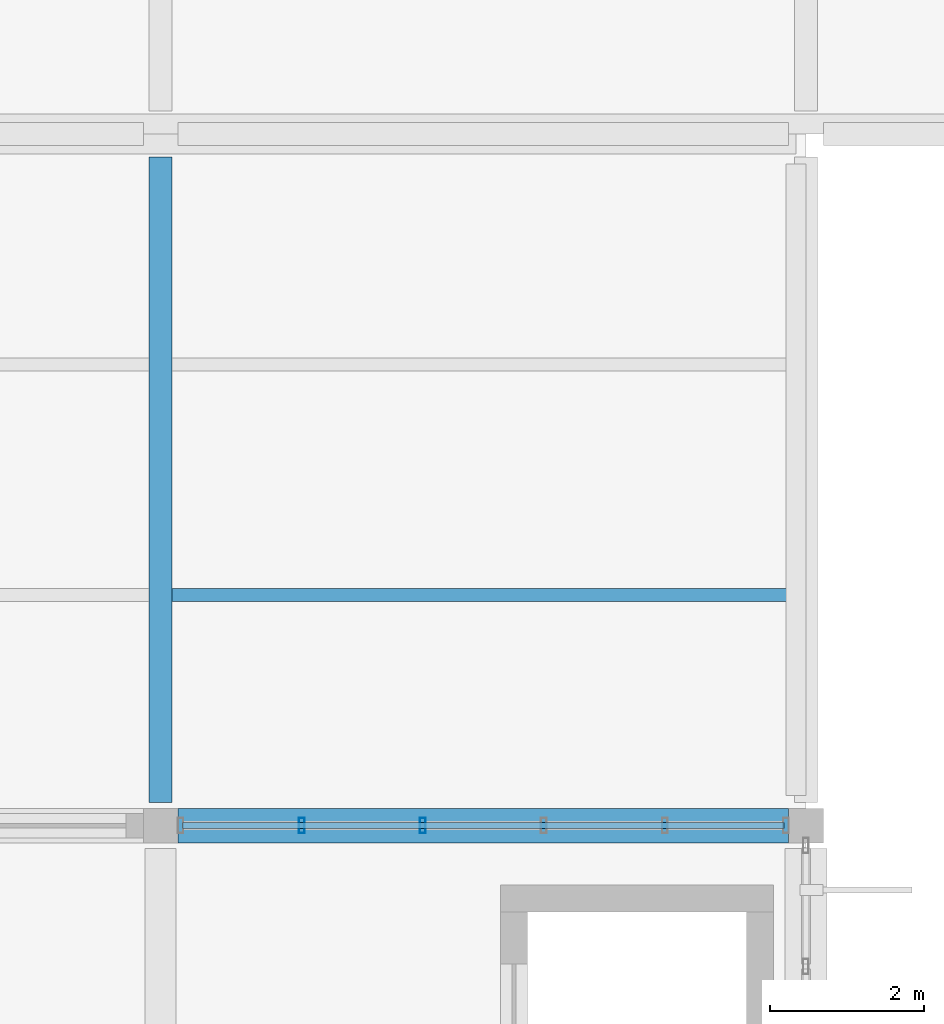
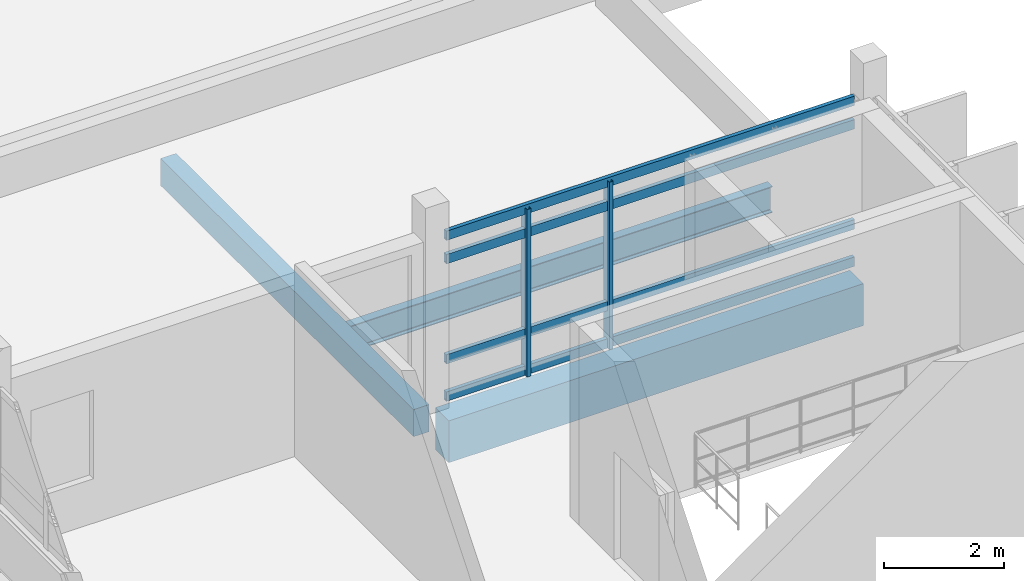
# One storey, part 29 of 62: 6 members, 3 beams, 1 element without a shape of its own.
"""IFC4 building model written with IfcOpenShell, lengths in metres."""

from ifc_helpers import new_model, si_unit, direction, frame, origin, origin_2d, place, context, subcontext, project, spatial, rectangle, hollow_rectangle, i_section, extrude, material, layer, layer_set, material_profile, profile_set, type_object, element, aggregate, save


model = new_model("IFC4")

# Units and contexts
model_context = context("Model", 3, precision=1e-05, world=origin(), true_north=direction((0.0, 1.0)))
body_context = subcontext(model_context, "Body", "Model", "MODEL_VIEW")
ifc_project = project(units=[si_unit("LENGTHUNIT", "METRE"), si_unit("AREAUNIT", "SQUARE_METRE"), si_unit("VOLUMEUNIT", "CUBIC_METRE"), si_unit("PLANEANGLEUNIT", "RADIAN"), si_unit("MASSUNIT", "GRAM", prefix="KILO")], contexts=[model_context])

# Site, building, storey
site_placement = place(None, origin())
site = spatial("IfcSite", under=ifc_project, at=site_placement, CompositionType="ELEMENT")
building_placement = place(site_placement, origin())
building = spatial("IfcBuilding", under=site, at=building_placement, Name="Vireocrest Preparatory School", CompositionType="ELEMENT")
storey_placement = place(building_placement, frame((0.0, 0.0, 17.39990234375)))
storey = spatial("IfcBuildingStorey", under=building, at=storey_placement, Name="L04", CompositionType="ELEMENT", Elevation=17.39990234375)

# Curtain wall, members
ifc_material_1 = material(Name="Thermally broken aluminium EN AW-6063-T6", Category="aluminium")
ifc_layer = layer(ifc_material_1, 0.179931640625)
ifc_layer_set = layer_set([ifc_layer], Name="Thermally broken aluminium EN AW-6063-T6")
curtain_wall_type = type_object("IfcCurtainWallType", Name="Stair Core Daylit Strip 4200x4200", PredefinedType="USERDEFINED", material=ifc_layer_set)
curtain_wall_placement = place(storey_placement, origin())
curtain_wall = element("IfcCurtainWall", 1, at=curtain_wall_placement, inside=storey, type_object=curtain_wall_type, Name="Curtain Wall CW18 CW_L04_CW18_1010_0858_174", ObjectType="CURTAIN WALL", PredefinedType="USERDEFINED")
ifc_material_profile_1 = material_profile(ifc_material_1, hollow_rectangle(XDim=0.074951171875, YDim=0.199951171875, WallThickness=0.0048828125, at=origin_2d()), Name="ALU 75x200x5")
ifc_profile_set_1 = profile_set([ifc_material_profile_1], Name="Thermally broken aluminium EN AW-6063-T6")
member_type_1 = type_object("IfcMemberType", Name="CW Mullion 75x200x5", PredefinedType="MULLION", material=ifc_profile_set_1)
member_1_placement = place(storey_placement, frame((102.635986328125, 85.800048828125, 0.0), z_axis=(0.0, 0.0, 1.0), x_axis=(1.0, 0.0, 0.0)))
member_1 = element("IfcMember", 2, at=member_1_placement, type_object=member_type_1, Name="CW Mullion ML3 CW_L04_CW18_1010_0858_174-2", PredefinedType="MULLION", context=body_context, shape_type="SweptSolid", body=[
    extrude(hollow_rectangle(XDim=0.074951171875, YDim=0.199951171875, WallThickness=0.0048828125, at=origin_2d()), origin(), (0.0, 0.0, 1.0), 3.39501953125),
])
member_2_placement = place(storey_placement, frame((104.2119140625, 85.800048828125, 0.0), z_axis=(0.0, 0.0, 1.0), x_axis=(1.0, 0.0, 0.0)))
member_2 = element("IfcMember", 3, at=member_2_placement, type_object=member_type_1, Name="CW Mullion ML3 CW_L04_CW18_1010_0858_174-3", PredefinedType="MULLION", context=body_context, shape_type="SweptSolid", body=[
    extrude(hollow_rectangle(XDim=0.074951171875, YDim=0.199951171875, WallThickness=0.0048828125, at=origin_2d()), origin(), (0.0, 0.0, 1.0), 3.39501953125),
])
ifc_material_profile_2 = material_profile(ifc_material_1, hollow_rectangle(XDim=0.074951171875, YDim=0.18994140625, WallThickness=0.00390625, at=origin_2d()), Name="ALU 75x190x4")
ifc_profile_set_2 = profile_set([ifc_material_profile_2], Name="Thermally broken aluminium EN AW-6063-T6")
member_type_2 = type_object("IfcMemberType", Name="CW Transom 75x190x4", PredefinedType="USERDEFINED", material=ifc_profile_set_2)
member_3_placement = place(storey_placement, frame((101.0849609375, 85.800048828125, 0.09521484375), z_axis=(1.0, 0.0, 0.0), x_axis=(0.0, 1.0, 0.0)))
member_3 = element("IfcMember", 4, at=member_3_placement, type_object=member_type_2, Name="CW Transom TR3 CW_L04_CW18_1010_0858_174-1", ObjectType="TRANSOM", PredefinedType="USERDEFINED", context=body_context, shape_type="SweptSolid", body=[
    extrude(hollow_rectangle(XDim=0.074951171875, YDim=0.18994140625, WallThickness=0.00390625, at=origin_2d()), origin(), (0.0, 0.0, 1.0), 7.830078125),
])
member_4_placement = place(storey_placement, frame((101.0849609375, 85.800048828125, 0.85009765625), z_axis=(1.0, 0.0, 0.0), x_axis=(0.0, 1.0, 0.0)))
member_4 = element("IfcMember", 5, at=member_4_placement, type_object=member_type_2, Name="CW Transom TR3 CW_L04_CW18_1010_0858_174-2", ObjectType="TRANSOM", PredefinedType="USERDEFINED", context=body_context, shape_type="SweptSolid", body=[
    extrude(hollow_rectangle(XDim=0.074951171875, YDim=0.18994140625, WallThickness=0.00390625, at=origin_2d()), origin(), (0.0, 0.0, 1.0), 7.830078125),
])
member_5_placement = place(storey_placement, frame((101.0849609375, 85.800048828125, 2.880126953125), z_axis=(1.0, 0.0, 0.0), x_axis=(0.0, 1.0, 0.0)))
member_5 = element("IfcMember", 6, at=member_5_placement, type_object=member_type_2, Name="CW Transom TR3 CW_L04_CW18_1010_0858_174-3", ObjectType="TRANSOM", PredefinedType="USERDEFINED", context=body_context, shape_type="SweptSolid", body=[
    extrude(hollow_rectangle(XDim=0.074951171875, YDim=0.18994140625, WallThickness=0.00390625, at=origin_2d()), origin(), (0.0, 0.0, 1.0), 7.830078125),
])
member_6_placement = place(storey_placement, frame((101.0849609375, 85.800048828125, 3.35498046875), z_axis=(1.0, 0.0, 0.0), x_axis=(0.0, 1.0, 0.0)))
member_6 = element("IfcMember", 7, at=member_6_placement, type_object=member_type_2, Name="CW Transom TR3 CW_L04_CW18_1010_0858_174-4", ObjectType="TRANSOM", PredefinedType="USERDEFINED", context=body_context, shape_type="SweptSolid", body=[
    extrude(hollow_rectangle(XDim=0.074951171875, YDim=0.18994140625, WallThickness=0.00390625, at=origin_2d()), origin(), (0.0, 0.0, 1.0), 7.830078125),
])
aggregate(curtain_wall, [member_1, member_2, member_3, member_4, member_5, member_6])

# Beams
ifc_material_2 = material(Name="Structural steel ASTM A992 Grade 50", Category="steel")
ifc_material_profile_3 = material_profile(ifc_material_2, i_section(OverallWidth=0.166015625, OverallDepth=0.529052734375, WebThickness=0.009765625, FlangeThickness=0.013671875, FilletRadius=0.014892578125, at=origin_2d()), Name="W21X50")
ifc_profile_set_3 = profile_set([ifc_material_profile_3], Name="Structural steel ASTM A992 Grade 50")
beam_type_1 = type_object("IfcBeamType", Name="Pavilion Roof Joist W21X50", PredefinedType="JOIST", material=ifc_profile_set_3)
beam_1_placement = place(storey_placement, frame((100.949951171875, 88.800048828125, -0.484375), z_axis=(1.0, 0.0, 0.0), x_axis=(0.0, 1.0, 0.0)))
element("IfcBeam", 8, at=beam_1_placement, inside=storey, type_object=beam_type_1, Name="Secondary Joist SJ1 L04-1507", PredefinedType="JOIST", context=body_context, shape_type="SweptSolid", body=[
    extrude(i_section(OverallWidth=0.166015625, OverallDepth=0.529052734375, WebThickness=0.009765625, FlangeThickness=0.013671875, FilletRadius=0.014892578125, at=origin_2d()), origin(), (0.0, 0.0, 1.0), 8.10009765625),
])
ifc_material_3 = material(Name="Concrete 40 MPa", Category="concrete")
ifc_material_profile_4 = material_profile(ifc_material_3, rectangle(XDim=0.449951171875, YDim=0.85009765625, at=origin_2d()), Name="RC 450x850")
ifc_profile_set_4 = profile_set([ifc_material_profile_4], Name="Concrete 40 MPa")
beam_type_2 = type_object("IfcBeamType", Name="RC Heavy Floor Girder 450x850", PredefinedType="BEAM", material=ifc_profile_set_4)
beam_2_placement = place(storey_placement, frame((101.02490234375, 85.800048828125, -0.684814453125), z_axis=(1.0, 0.0, 0.0), x_axis=(0.0, 1.0, 0.0)))
element("IfcBeam", 9, at=beam_2_placement, inside=storey, type_object=beam_type_2, Name="Primary Girder B13 L04-1325", PredefinedType="BEAM", context=body_context, shape_type="SweptSolid", body=[
    extrude(rectangle(XDim=0.449951171875, YDim=0.85009765625, at=origin_2d()), origin(), (0.0, 0.0, 1.0), 7.9501953125),
])
ifc_material_profile_5 = material_profile(ifc_material_3, rectangle(XDim=0.300048828125, YDim=0.550048828125, at=origin_2d()), Name="RC 300x550")
ifc_profile_set_5 = profile_set([ifc_material_profile_5], Name="Concrete 40 MPa")
beam_type_3 = type_object("IfcBeamType", Name="RC Roof Girder 300x550", PredefinedType="BEAM", material=ifc_profile_set_5)
beam_3_placement = place(storey_placement, frame((100.800048828125, 86.10009765625, -0.494873046875), z_axis=(0.0, 1.0, 0.0), x_axis=(-1.0, 0.0, 0.0)))
element("IfcBeam", 10, at=beam_3_placement, inside=storey, type_object=beam_type_3, Name="Primary Girder B02 L04-1407", PredefinedType="BEAM", context=body_context, shape_type="SweptSolid", body=[
    extrude(rectangle(XDim=0.300048828125, YDim=0.550048828125, at=origin_2d()), origin(), (0.0, 0.0, 1.0), 8.39990234375),
])

save(model, "model.ifc")
